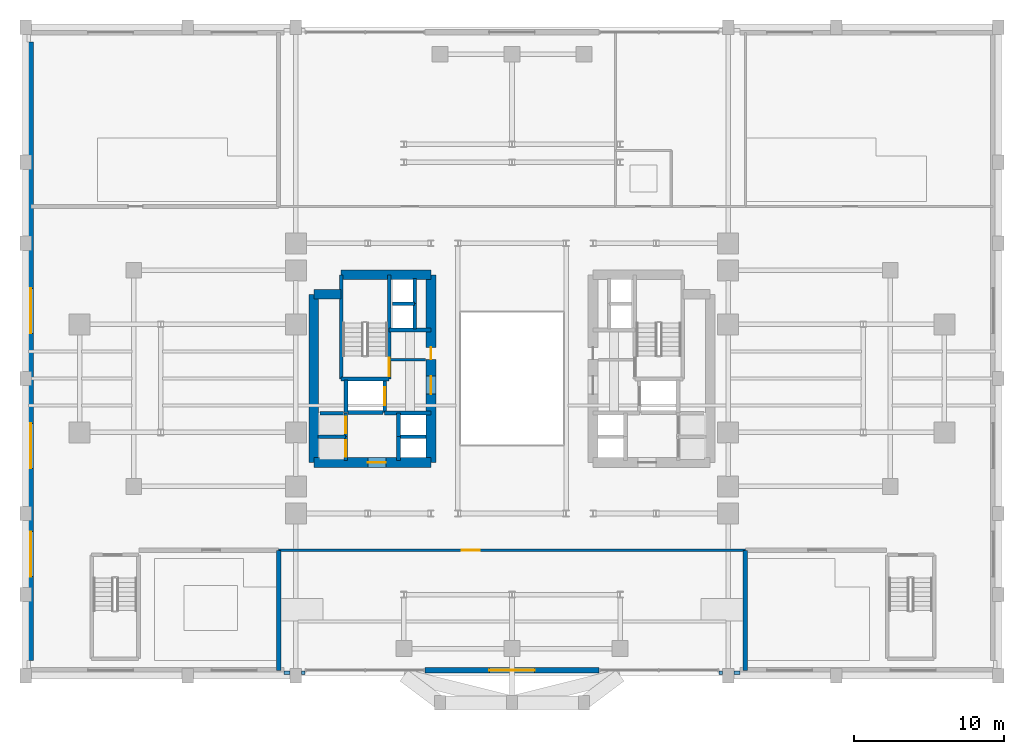
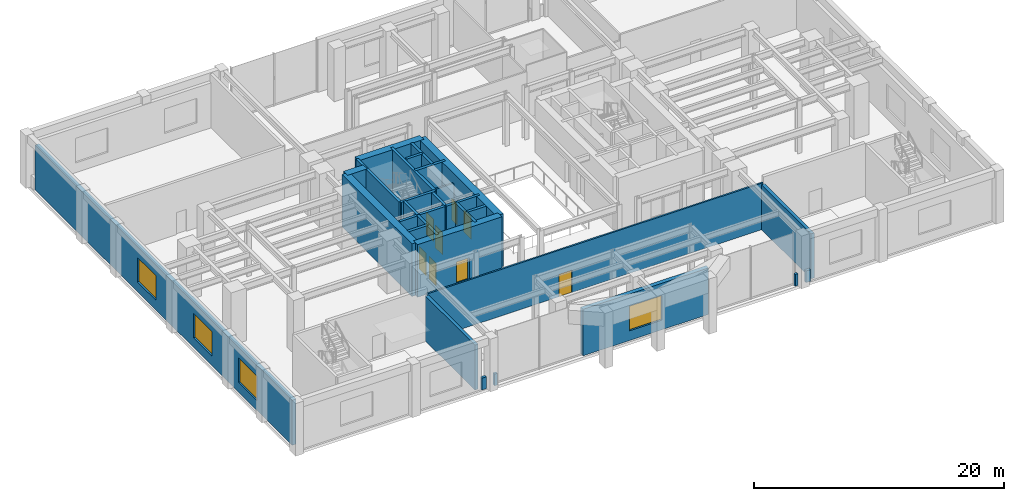
# One storey, part 10 of 16: 33 walls, 8 doors, 4 windows, 12 openings.
"""IFC4 building model written with IfcOpenShell, lengths in metres."""

from ifc_helpers import new_model, si_unit, direction, frame, frame_2d, origin, place, context, subcontext, project, spatial, rectangle, extrude, source, transform, mapped, material, layer, layer_set, type_object, element, fill, save


model = new_model("IFC4")

# Units and contexts
model_context = context("Model", 3, precision=1e-05, world=origin(), true_north=direction((0.0, 1.0)))
body_context = subcontext(model_context, "Body", "Model", "MODEL_VIEW")
ifc_project = project(units=[si_unit("LENGTHUNIT", "METRE"), si_unit("AREAUNIT", "SQUARE_METRE"), si_unit("VOLUMEUNIT", "CUBIC_METRE"), si_unit("PLANEANGLEUNIT", "RADIAN"), si_unit("MASSUNIT", "GRAM", prefix="KILO")], contexts=[model_context])

# Site, building, storey
site_placement = place(None, origin())
site = spatial("IfcSite", under=ifc_project, at=site_placement, CompositionType="ELEMENT")
building_placement = place(site_placement, origin())
building = spatial("IfcBuilding", under=site, at=building_placement, Name="Keilestroom Media Tower", CompositionType="ELEMENT")
storey_placement = place(building_placement, frame((0.0, 0.0, 10.199951171875)))
storey = spatial("IfcBuildingStorey", under=building, at=storey_placement, Name="L02", CompositionType="ELEMENT", Elevation=10.199951171875)

# Walls
ifc_material_1 = material(Name="Concrete C45/55", Category="concrete")
ifc_layer_1 = layer(ifc_material_1, 0.300048828125)
ifc_layer_set_1 = layer_set([ifc_layer_1], Name="Concrete C45/55")
wall_type_1 = type_object("IfcWallType", Name="Acoustic-Studio-Isolation-Wall-300", PredefinedType="SOLIDWALL", material=ifc_layer_set_1)
for number, where, z_axis, x_axis, name in (
    (1, (-15.550048828125, -19.449951171875, 0.0), (0.0, 0.0, 1.0), (0.0, 1.0, 0.0), "L02 Interior Wall WP-L02-STD-SW-E"),
    (2, (15.550048828125, -19.449951171875, 0.0), (0.0, 0.0, 1.0), (0.0, 1.0, 0.0), "L02 Interior Wall WP-L02-STD-SE-W"),
):
    element("IfcWall", number, at=place(storey_placement, frame(where, z_axis=z_axis, x_axis=x_axis)), inside=storey, type_object=wall_type_1, Name=name, PredefinedType="SOLIDWALL", context=body_context, shape_type="SweptSolid", body=[
        extrude(rectangle(XDim=8.0, YDim=0.300048828125, at=frame_2d((4.0, 0.0))), origin(), (0.0, 0.0, 1.0), 4.400146484375),
    ])

# Wall, openings, windows
ifc_material_2 = material(Name="Precast concrete C40/50", Category="concrete")
ifc_layer_2 = layer(ifc_material_2, 0.3798828125)
ifc_layer_set_2 = layer_set([ifc_layer_2], Name="Precast concrete C40/50")
wall_type_2 = type_object("IfcWallType", Name="Exterior-Masonry-Spandrel-Wall-380", PredefinedType="SOLIDWALL", material=ifc_layer_set_2)
wall_1_placement = place(storey_placement, frame((-32.050048828125, -18.800048828125, 0.0), z_axis=(0.0, 0.0, 1.0), x_axis=(0.0, 1.0, 0.0)))
wall_1 = element("IfcWall", 3, at=wall_1_placement, inside=storey, type_object=wall_type_2, Name="L02 Podium Precast Masonry Wall EWL-L02-W-M", PredefinedType="SOLIDWALL", context=body_context, shape_type="SweptSolid", body=[
    extrude(rectangle(XDim=41.199951171875, YDim=0.3798828125, at=frame_2d((20.60009765625, 0.0))), origin(), (0.0, 0.0, 1.0), 4.400146484375),
])
opening_1_placement = place(wall_1_placement, frame((5.60009765625, 0.0, 0.949951171875)))
opening_1 = element("IfcOpeningElement", 4, at=opening_1_placement, cuts=wall_1, Name="Opening WN-05", PredefinedType="OPENING", context=body_context, shape_type="SweptSolid", body=[
    extrude(rectangle(XDim=3.0, YDim=2.39990234375, at=frame_2d((1.5, 1.199951171875))), frame((0.0, 0.199951171875, 0.0), z_axis=(0.0, -1.0, 0.0), x_axis=(1.0, 0.0, 0.0)), (0.0, 0.0, 1.0), 0.39990234375),
])
opening_2_placement = place(wall_1_placement, frame((12.800048828125, 0.0, 0.949951171875)))
opening_2 = element("IfcOpeningElement", 5, at=opening_2_placement, cuts=wall_1, Name="Opening WN-05", PredefinedType="OPENING", context=body_context, shape_type="SweptSolid", body=[
    extrude(rectangle(XDim=3.0, YDim=2.39990234375, at=frame_2d((1.5, 1.199951171875))), frame((0.0, 0.199951171875, 0.0), z_axis=(0.0, -1.0, 0.0), x_axis=(1.0, 0.0, 0.0)), (0.0, 0.0, 1.0), 0.39990234375),
])
opening_3_placement = place(wall_1_placement, frame((21.800048828125, 0.0, 0.949951171875)))
opening_3 = element("IfcOpeningElement", 6, at=opening_3_placement, cuts=wall_1, Name="Opening WN-05", PredefinedType="OPENING", context=body_context, shape_type="SweptSolid", body=[
    extrude(rectangle(XDim=3.0, YDim=2.39990234375, at=frame_2d((1.5, 1.199951171875))), frame((0.0, 0.199951171875, 0.0), z_axis=(0.0, -1.0, 0.0), x_axis=(1.0, 0.0, 0.0)), (0.0, 0.0, 1.0), 0.39990234375),
])
ifc_material_3 = material(Name="Acoustic Studio Observation Window", Category="glass")
window_type = type_object("IfcWindowType", Name="Recessed-Punched-Window-WN-05", PartitioningType="TRIPLE_PANEL_VERTICAL", PredefinedType="WINDOW", material=ifc_material_3)
shared_shape_1 = source(origin(), body_context, "Body", "SweptSolid", [
    extrude(rectangle(XDim=3.0, YDim=2.39990234375, at=frame_2d((1.5, 1.199951171875))), frame((0.0, 0.030029296875, 0.0), z_axis=(0.0, -1.0, 0.0), x_axis=(1.0, 0.0, 0.0)), (0.0, 0.0, 1.0), 0.06005859375),
])
window_1_placement = place(opening_1_placement, origin())
window_1 = element("IfcWindow", 7, at=window_1_placement, inside=storey, type_object=window_type, Name="L02 Window WN-05 EWL-L02-W-M-1", OverallHeight=2.39990234375, OverallWidth=3.0, PartitioningType="SINGLE_PANEL", PredefinedType="WINDOW", context=body_context, shape_type="MappedRepresentation", body=[
    mapped(shared_shape_1, transform((0.0, 0.0, 0.0), x_axis=(1.0, 0.0, 0.0), y_axis=(0.0, 1.0, 0.0), z_axis=(0.0, 0.0, 1.0), scale=1.0)),
])
fill(opening_1, window_1)
window_2_placement = place(opening_2_placement, origin())
window_2 = element("IfcWindow", 8, at=window_2_placement, inside=storey, type_object=window_type, Name="L02 Window WN-05 EWL-L02-W-M-2", OverallHeight=2.39990234375, OverallWidth=3.0, PartitioningType="SINGLE_PANEL", PredefinedType="WINDOW", context=body_context, shape_type="MappedRepresentation", body=[
    mapped(shared_shape_1, transform((0.0, 0.0, 0.0), x_axis=(1.0, 0.0, 0.0), y_axis=(0.0, 1.0, 0.0), z_axis=(0.0, 0.0, 1.0), scale=1.0)),
])
fill(opening_2, window_2)
window_3_placement = place(opening_3_placement, origin())
window_3 = element("IfcWindow", 9, at=window_3_placement, inside=storey, type_object=window_type, Name="L02 Window WN-05 EWL-L02-W-M-3", OverallHeight=2.39990234375, OverallWidth=3.0, PartitioningType="SINGLE_PANEL", PredefinedType="WINDOW", context=body_context, shape_type="MappedRepresentation", body=[
    mapped(shared_shape_1, transform((0.0, 0.0, 0.0), x_axis=(1.0, 0.0, 0.0), y_axis=(0.0, 1.0, 0.0), z_axis=(0.0, 0.0, 1.0), scale=1.0)),
])
fill(opening_3, window_3)

# Wall, opening, window
wall_2_placement = place(storey_placement, frame((-5.804931640625, -19.449951171875, 0.0), z_axis=(0.0, 0.0, 1.0), x_axis=(1.0, 0.0, 0.0)))
wall_2 = element("IfcWall", 10, at=wall_2_placement, inside=storey, type_object=wall_type_2, Name="L02 Podium Precast Masonry Wall EWL-L02-S-C-1", PredefinedType="SOLIDWALL", context=body_context, shape_type="SweptSolid", body=[
    extrude(rectangle(XDim=11.60986328125, YDim=0.3798828125, at=frame_2d((5.804931640625, 0.0))), origin(), (0.0, 0.0, 1.0), 4.550048828125),
])
opening_4_placement = place(wall_2_placement, frame((4.304931640625, 0.0, 0.949951171875)))
opening_4 = element("IfcOpeningElement", 11, at=opening_4_placement, cuts=wall_2, Name="Opening WN-05", PredefinedType="OPENING", context=body_context, shape_type="SweptSolid", body=[
    extrude(rectangle(XDim=3.0, YDim=2.39990234375, at=frame_2d((1.5, 1.199951171875))), frame((0.0, 0.199951171875, 0.0), z_axis=(0.0, -1.0, 0.0), x_axis=(1.0, 0.0, 0.0)), (0.0, 0.0, 1.0), 0.39990234375),
])
window_4_placement = place(opening_4_placement, origin())
window_4 = element("IfcWindow", 12, at=window_4_placement, inside=storey, type_object=window_type, Name="L02 Window WN-05 EWL-L02-S-C-1-1", OverallHeight=2.39990234375, OverallWidth=3.0, PartitioningType="SINGLE_PANEL", PredefinedType="WINDOW", context=body_context, shape_type="MappedRepresentation", body=[
    mapped(shared_shape_1, transform((0.0, 0.0, 0.0), x_axis=(1.0, 0.0, 0.0), y_axis=(0.0, 1.0, 0.0), z_axis=(0.0, 0.0, 1.0), scale=1.0)),
])
fill(opening_4, window_4)

# Wall
ifc_material_4 = material(Name="Gypsum Plasterboard & Steel Stud", Category="steel")
ifc_layer_3 = layer(ifc_material_4, 0.14990234375)
ifc_layer_set_3 = layer_set([ifc_layer_3], Name="Gypsum Plasterboard & Steel Stud")
wall_type_3 = type_object("IfcWallType", Name="Interior-Partition-Wall-150", PredefinedType="PARTITIONING", material=ifc_layer_set_3)
wall_3_placement = place(storey_placement, frame((-8.139892578125, 1.239990234375, 0.0), z_axis=(0.0, 0.0, 1.0), x_axis=(1.0, 0.0, 0.0)))
element("IfcWall", 13, at=wall_3_placement, inside=storey, type_object=wall_type_3, Name="L02 Interior Wall WP-L02-FFW-TOP", PredefinedType="PARTITIONING", context=body_context, shape_type="SweptSolid", body=[
    extrude(rectangle(XDim=2.389892578125, YDim=0.14990234375, at=frame_2d((1.19482421875, 0.0))), origin(), (0.0, 0.0, 1.0), 4.25),
])

# Wall, opening, door
wall_4_placement = place(storey_placement, frame((-15.550048828125, -11.449951171875, 0.0), z_axis=(0.0, 0.0, 1.0), x_axis=(1.0, 0.0, 0.0)))
wall_4 = element("IfcWall", 14, at=wall_4_placement, inside=storey, type_object=wall_type_3, Name="L02 Interior Wall WP-L02-ARCH-S-N", PredefinedType="PARTITIONING", context=body_context, shape_type="SweptSolid", body=[
    extrude(rectangle(XDim=31.10009765625, YDim=0.14990234375, at=frame_2d((15.550048828125, 0.0))), origin(), (0.0, 0.0, 1.0), 4.550048828125),
])
opening_5_placement = place(wall_4_placement, frame((12.199951171875, 0.0, 0.0)))
opening_5 = element("IfcOpeningElement", 15, at=opening_5_placement, cuts=wall_4, Name="Opening DI-02", PredefinedType="OPENING", context=body_context, shape_type="SweptSolid", body=[
    extrude(rectangle(XDim=1.199951171875, YDim=2.199951171875, at=frame_2d((0.60009765625, 1.10009765625))), frame((0.0, 0.0849609375, 0.0), z_axis=(0.0, -1.0, 0.0), x_axis=(1.0, 0.0, 0.0)), (0.0, 0.0, 1.0), 0.169921875),
])
ifc_material_5 = material(Name="Powder-Coated Steel Fire Leaf", Category="steel")
door_type_1 = type_object("IfcDoorType", Name="Interior-Compartment-Fire-Door-DI-02", OperationType="NOTDEFINED", PredefinedType="DOOR", material=ifc_material_5)
shared_shape_2 = source(origin(), body_context, "Body", "SweptSolid", [
    extrude(rectangle(XDim=1.199951171875, YDim=2.199951171875, at=frame_2d((0.60009765625, 1.10009765625))), frame((0.0, 0.02490234375, 0.0), z_axis=(0.0, -1.0, 0.0), x_axis=(1.0, 0.0, 0.0)), (0.0, 0.0, 1.0), 0.050048828125),
])
door_1_placement = place(opening_5_placement, origin())
door_1 = element("IfcDoor", 16, at=door_1_placement, inside=storey, type_object=door_type_1, Name="L02 Interior Door DI-L02-ARCH-S-D", OperationType="SINGLE_SWING_LEFT", OverallHeight=2.199951171875, OverallWidth=1.199951171875, PredefinedType="DOOR", context=body_context, shape_type="MappedRepresentation", body=[
    mapped(shared_shape_2, transform((0.0, 0.0, 0.0), x_axis=(1.0, 0.0, 0.0), y_axis=(0.0, 1.0, 0.0), z_axis=(0.0, 0.0, 1.0), scale=1.0)),
])
fill(opening_5, door_1)

# Wall
ifc_material_6 = material(Name="Concrete C70/85", Category="concrete")
ifc_layer_4 = layer(ifc_material_6, 0.64990234375)
ifc_layer_set_4 = layer_set([ifc_layer_4], Name="Concrete C70/85")
wall_type_4 = type_object("IfcWallType", Name="Reinforced-Concrete-Core-Shear-Wall-650", PredefinedType="SHEAR", material=ifc_layer_set_4)
wall_5_placement = place(storey_placement, frame((-13.199951171875, -5.60009765625, 0.0), z_axis=(0.0, 0.0, 1.0), x_axis=(0.0, 1.0, 0.0)))
element("IfcWall", 17, at=wall_5_placement, inside=storey, type_object=wall_type_4, Name="L02 Core Shear Wall WL-L02-CORE-W-OUT", PredefinedType="SHEAR", context=body_context, shape_type="SweptSolid", body=[
    extrude(rectangle(XDim=11.2001953125, YDim=0.64990234375, at=frame_2d((5.60009765625, 0.0))), origin(), (0.0, 0.0, 1.0), 5.150146484375),
])

# Wall, openings, doors
wall_6_placement = place(storey_placement, frame((-5.39990234375, -5.60009765625, 0.0), z_axis=(0.0, 0.0, 1.0), x_axis=(0.0, 1.0, 0.0)))
wall_6 = element("IfcWall", 18, at=wall_6_placement, inside=storey, type_object=wall_type_4, Name="L02 Core Shear Wall WL-L02-CORE-W-IN", PredefinedType="SHEAR", context=body_context, shape_type="SweptSolid", body=[
    extrude(rectangle(XDim=12.5, YDim=0.64990234375, at=frame_2d((6.25, 0.0))), origin(), (0.0, 0.0, 1.0), 5.150146484375),
])
opening_6_placement = place(wall_6_placement, frame((4.550048828125, 0.0, 0.0)))
opening_6 = element("IfcOpeningElement", 19, at=opening_6_placement, cuts=wall_6, Name="Opening DI-02", PredefinedType="OPENING", context=body_context, shape_type="SweptSolid", body=[
    extrude(rectangle(XDim=1.199951171875, YDim=2.199951171875, at=frame_2d((0.60009765625, 1.10009765625))), frame((0.0, 0.3349609375, 0.0), z_axis=(0.0, -1.0, 0.0), x_axis=(1.0, 0.0, 0.0)), (0.0, 0.0, 1.0), 0.669921875),
])
opening_7_placement = place(wall_6_placement, frame((6.860107421875, 0.0, 0.0)))
opening_7 = element("IfcOpeningElement", 20, at=opening_7_placement, cuts=wall_6, Name="Opening DI-06", PredefinedType="OPENING", context=body_context, shape_type="SweptSolid", body=[
    extrude(rectangle(XDim=0.800048828125, YDim=2.10009765625, at=frame_2d((0.39990234375, 1.050048828125))), frame((0.0, 0.3349609375, 0.0), z_axis=(0.0, -1.0, 0.0), x_axis=(1.0, 0.0, 0.0)), (0.0, 0.0, 1.0), 0.669921875),
])
door_2_placement = place(opening_6_placement, origin())
door_2 = element("IfcDoor", 21, at=door_2_placement, inside=storey, type_object=door_type_1, Name="L02 W Firefighting Lobby Door", OperationType="SINGLE_SWING_RIGHT", OverallHeight=2.199951171875, OverallWidth=1.199951171875, PredefinedType="DOOR", context=body_context, shape_type="MappedRepresentation", body=[
    mapped(shared_shape_2, transform((0.0, 0.0, 0.0), x_axis=(1.0, 0.0, 0.0), y_axis=(0.0, 1.0, 0.0), z_axis=(0.0, 0.0, 1.0), scale=1.0)),
])
fill(opening_6, door_2)
ifc_material_7 = material(Name="Powder-Coated Steel Service Leaf", Category="steel")
door_type_2 = type_object("IfcDoorType", Name="Interior-Riser-Access-Door-DI-06", OperationType="NOTDEFINED", PredefinedType="DOOR", material=ifc_material_7)
shared_shape_3 = source(origin(), body_context, "Body", "SweptSolid", [
    extrude(rectangle(XDim=0.800048828125, YDim=2.10009765625, at=frame_2d((0.39990234375, 1.050048828125))), frame((0.0, 0.02490234375, 0.0), z_axis=(0.0, -1.0, 0.0), x_axis=(1.0, 0.0, 0.0)), (0.0, 0.0, 1.0), 0.050048828125),
])
door_3_placement = place(opening_7_placement, origin())
door_3 = element("IfcDoor", 22, at=door_3_placement, inside=storey, type_object=door_type_2, Name="L02 West Core Switchroom Door", OperationType="SINGLE_SWING_LEFT", OverallHeight=2.10009765625, OverallWidth=0.800048828125, PredefinedType="DOOR", context=body_context, shape_type="MappedRepresentation", body=[
    mapped(shared_shape_3, transform((0.0, 0.0, 0.0), x_axis=(1.0, 0.0, 0.0), y_axis=(0.0, 1.0, 0.0), z_axis=(0.0, 0.0, 1.0), scale=1.0)),
])
fill(opening_7, door_3)

# Walls
wall_7_placement = place(storey_placement, frame((-11.381103515625, 6.89990234375, 0.0), z_axis=(0.0, 0.0, 1.0), x_axis=(1.0, 0.0, 0.0)))
element("IfcWall", 23, at=wall_7_placement, inside=storey, type_object=wall_type_4, Name="L02 Core Shear Wall WL-L02-CORE-W-N", PredefinedType="SHEAR", context=body_context, shape_type="SweptSolid", body=[
    extrude(rectangle(XDim=5.981201171875, YDim=0.64990234375, at=frame_2d((2.99072265625, 0.0))), origin(), (0.0, 0.0, 1.0), 5.150146484375),
])
wall_8_placement = place(storey_placement, frame((-13.199951171875, 5.60009765625, 0.0), z_axis=(0.0, 0.0, 1.0), x_axis=(1.0, 0.0, 0.0)))
element("IfcWall", 24, at=wall_8_placement, inside=storey, type_object=wall_type_4, Name="L02 Core Shear Wall WL-L02-CNW-N", PredefinedType="SHEAR", context=body_context, shape_type="SweptSolid", body=[
    extrude(rectangle(XDim=1.81884765625, YDim=0.64990234375, at=frame_2d((0.909423828125, 0.0))), origin(), (0.0, 0.0, 1.0), 5.150146484375),
])

# Wall, opening, door
wall_9_placement = place(storey_placement, frame((-13.199951171875, -5.60009765625, 0.0), z_axis=(0.0, 0.0, 1.0), x_axis=(1.0, 0.0, 0.0)))
wall_9 = element("IfcWall", 25, at=wall_9_placement, inside=storey, type_object=wall_type_4, Name="L02 Core Shear Wall WL-L02-CORE-W-S", PredefinedType="SHEAR", context=body_context, shape_type="SweptSolid", body=[
    extrude(rectangle(XDim=7.800048828125, YDim=0.64990234375, at=frame_2d((3.89990234375, 0.0))), origin(), (0.0, 0.0, 1.0), 5.150146484375),
])
opening_8_placement = place(wall_9_placement, frame((3.60009765625, 0.0, 0.0)))
opening_8 = element("IfcOpeningElement", 26, at=opening_8_placement, cuts=wall_9, Name="Opening DI-02", PredefinedType="OPENING", context=body_context, shape_type="SweptSolid", body=[
    extrude(rectangle(XDim=1.199951171875, YDim=2.199951171875, at=frame_2d((0.60009765625, 1.10009765625))), frame((0.0, 0.3349609375, 0.0), z_axis=(0.0, -1.0, 0.0), x_axis=(1.0, 0.0, 0.0)), (0.0, 0.0, 1.0), 0.669921875),
])
door_4_placement = place(opening_8_placement, origin())
door_4 = element("IfcDoor", 27, at=door_4_placement, inside=storey, type_object=door_type_1, Name="L02 W Passenger Lift Lobby Door", OperationType="SINGLE_SWING_LEFT", OverallHeight=2.199951171875, OverallWidth=1.199951171875, PredefinedType="DOOR", context=body_context, shape_type="MappedRepresentation", body=[
    mapped(shared_shape_2, transform((0.0, 0.0, 0.0), x_axis=(1.0, 0.0, 0.0), y_axis=(0.0, 1.0, 0.0), z_axis=(0.0, 0.0, 1.0), scale=1.0)),
])
fill(opening_8, door_4)

# Walls
ifc_material_8 = material(Name="Concrete C50/60", Category="concrete")
ifc_layer_5 = layer(ifc_material_8, 0.25)
ifc_layer_set_5 = layer_set([ifc_layer_5], Name="Concrete C50/60")
wall_type_5 = type_object("IfcWallType", Name="Reinforced-Concrete-Shaft-Wall-250", PredefinedType="SOLIDWALL", material=ifc_layer_set_5)
wall_10_placement = place(storey_placement, frame((-8.179931640625, 3.219970703125, 0.0), z_axis=(0.0, 0.0, 1.0), x_axis=(1.0, 0.0, 0.0)))
element("IfcWall", 28, at=wall_10_placement, inside=storey, type_object=wall_type_5, Name="L02 Core Shear Wall WL-L02-CORE-W-FFN", PredefinedType="SOLIDWALL", context=body_context, shape_type="SweptSolid", body=[
    extrude(rectangle(XDim=2.780029296875, YDim=0.25, at=frame_2d((1.39013671875, 0.0))), origin(), (0.0, 0.0, 1.0), 5.150146484375),
])
wall_11_placement = place(storey_placement, frame((-8.47998046875, -2.300048828125, 0.0), z_axis=(0.0, 0.0, 1.0), x_axis=(1.0, 0.0, 0.0)))
element("IfcWall", 29, at=wall_11_placement, inside=storey, type_object=wall_type_5, Name="L02 Core Shear Wall WL-L02-CORE-W-FFS", PredefinedType="SOLIDWALL", context=body_context, shape_type="SweptSolid", body=[
    extrude(rectangle(XDim=3.080078125, YDim=0.25, at=frame_2d((1.5400390625, 0.0))), origin(), (0.0, 0.0, 1.0), 5.150146484375),
])

# Wall, opening, door
wall_12_placement = place(storey_placement, frame((-8.178955078125, -0.041015625, 0.0), z_axis=(0.0, 0.0, 1.0), x_axis=(0.0, 1.0, 0.0)))
wall_12 = element("IfcWall", 30, at=wall_12_placement, inside=storey, type_object=wall_type_5, Name="L02 Core Shear Wall WL-L02-STW-W-NEAR", PredefinedType="SOLIDWALL", context=body_context, shape_type="SweptSolid", body=[
    extrude(rectangle(XDim=6.94091796875, YDim=0.25, at=frame_2d((3.470458984375, 0.0))), origin(), (0.0, 0.0, 1.0), 5.150146484375),
])
opening_9_placement = place(wall_12_placement, frame((0.199951171875, 0.0, 0.0)))
opening_9 = element("IfcOpeningElement", 31, at=opening_9_placement, cuts=wall_12, Name="Opening DI-01S", PredefinedType="OPENING", context=body_context, shape_type="SweptSolid", body=[
    extrude(rectangle(XDim=1.199951171875, YDim=2.199951171875, at=frame_2d((0.60009765625, 1.10009765625))), frame((0.0, 0.135009765625, 0.0), z_axis=(0.0, -1.0, 0.0), x_axis=(1.0, 0.0, 0.0)), (0.0, 0.0, 1.0), 0.27001953125),
])
door_type_3 = type_object("IfcDoorType", Name="Interior-Stair-And-Core-Fire-Door-DI-01", OperationType="NOTDEFINED", PredefinedType="DOOR", material=ifc_material_5)
door_5_placement = place(opening_9_placement, origin())
door_5 = element("IfcDoor", 32, at=door_5_placement, inside=storey, type_object=door_type_3, Name="L02 Escape Stair ST-1 Fire Door", OperationType="SINGLE_SWING_LEFT", OverallHeight=2.199951171875, OverallWidth=1.199951171875, PredefinedType="DOOR", context=body_context, shape_type="MappedRepresentation", body=[
    mapped(shared_shape_2, transform((0.0, 0.0, 0.0), x_axis=(1.0, 0.0, 0.0), y_axis=(0.0, 1.0, 0.0), z_axis=(0.0, 0.0, 1.0), scale=1.0)),
])
fill(opening_9, door_5)

# Walls
wall_13_placement = place(storey_placement, frame((-11.381103515625, -0.041015625, 0.0), z_axis=(0.0, 0.0, 1.0), x_axis=(0.0, 1.0, 0.0)))
element("IfcWall", 33, at=wall_13_placement, inside=storey, type_object=wall_type_5, Name="L02 Core Shear Wall WL-L02-STW-W-FAR", PredefinedType="SOLIDWALL", context=body_context, shape_type="SweptSolid", body=[
    extrude(rectangle(XDim=6.94091796875, YDim=0.25, at=frame_2d((3.470458984375, 0.0))), origin(), (0.0, 0.0, 1.0), 5.150146484375),
])
wall_14_placement = place(storey_placement, frame((-11.381103515625, -0.041015625, 0.0), z_axis=(0.0, 0.0, 1.0), x_axis=(1.0, 0.0, 0.0)))
element("IfcWall", 34, at=wall_14_placement, inside=storey, type_object=wall_type_5, Name="L02 Core Shear Wall WL-L02-STW-W-S", PredefinedType="SOLIDWALL", context=body_context, shape_type="SweptSolid", body=[
    extrude(rectangle(XDim=3.2021484375, YDim=0.25, at=frame_2d((1.60107421875, 0.0))), origin(), (0.0, 0.0, 1.0), 5.150146484375),
])
wall_15_placement = place(storey_placement, frame((-11.050048828125, -2.280029296875, 0.0), z_axis=(0.0, 0.0, 1.0), x_axis=(0.0, 1.0, 0.0)))
element("IfcWall", 35, at=wall_15_placement, inside=storey, type_object=wall_type_5, Name="L02 Core Shear Wall WL-L02-LSH-FFL-1-W", PredefinedType="SOLIDWALL", context=body_context, shape_type="SweptSolid", body=[
    extrude(rectangle(XDim=2.179931640625, YDim=0.25, at=frame_2d((1.08984375, 0.0))), origin(), (0.0, 0.0, 1.0), 5.150146484375),
])

# Wall, opening, door
wall_16_placement = place(storey_placement, frame((-8.47998046875, -2.280029296875, 0.0), z_axis=(0.0, 0.0, 1.0), x_axis=(0.0, 1.0, 0.0)))
wall_16 = element("IfcWall", 36, at=wall_16_placement, inside=storey, type_object=wall_type_5, Name="L02 Core Shear Wall WL-L02-LSH-FFL-1-E", PredefinedType="SOLIDWALL", context=body_context, shape_type="SweptSolid", body=[
    extrude(rectangle(XDim=2.179931640625, YDim=0.25, at=frame_2d((1.08984375, 0.0))), origin(), (0.0, 0.0, 1.0), 5.150146484375),
])
opening_10_placement = place(wall_16_placement, frame((0.489990234375, 0.0, 0.0)))
opening_10 = element("IfcOpeningElement", 37, at=opening_10_placement, cuts=wall_16, Name="Opening LD-02", PredefinedType="OPENING", context=body_context, shape_type="SweptSolid", body=[
    extrude(rectangle(XDim=1.199951171875, YDim=2.199951171875, at=frame_2d((0.60009765625, 1.10009765625))), frame((0.0, 0.135009765625, 0.0), z_axis=(0.0, -1.0, 0.0), x_axis=(1.0, 0.0, 0.0)), (0.0, 0.0, 1.0), 0.27001953125),
])
ifc_material_9 = material(Name="Brushed Stainless Steel Sliding Leaf", Category="steel")
door_type_4 = type_object("IfcDoorType", Name="Lift-Landing-Sliding-Door-LD-02", OperationType="SLIDING_TO_RIGHT", PredefinedType="DOOR", material=ifc_material_9)
door_6_placement = place(opening_10_placement, origin())
door_6 = element("IfcDoor", 38, at=door_6_placement, inside=storey, type_object=door_type_4, Name="L02 Lift FFL-1 Landing Sliding Door", OperationType="SLIDING_TO_RIGHT", OverallHeight=2.199951171875, OverallWidth=1.199951171875, PredefinedType="DOOR", context=body_context, shape_type="MappedRepresentation", body=[
    mapped(shared_shape_2, transform((0.0, 0.0, 0.0), x_axis=(1.0, 0.0, 0.0), y_axis=(0.0, 1.0, 0.0), z_axis=(0.0, 0.0, 1.0), scale=1.0)),
])
fill(opening_10, door_6)

# Wall
wall_17_placement = place(storey_placement, frame((-10.9208984375, -2.280029296875, 0.0), z_axis=(0.0, 0.0, 1.0), x_axis=(1.0, 0.0, 0.0)))
element("IfcWall", 39, at=wall_17_placement, inside=storey, type_object=wall_type_5, Name="L02 Core Shear Wall WL-L02-LSH-FFL-1-S", PredefinedType="SOLIDWALL", context=body_context, shape_type="SweptSolid", body=[
    extrude(rectangle(XDim=2.31201171875, YDim=0.25, at=frame_2d((1.156005859375, 0.0))), origin(), (0.0, 0.0, 1.0), 5.150146484375),
])

# Wall, opening, door
wall_18_placement = place(storey_placement, frame((-11.080078125, -5.47998046875, 0.0), z_axis=(0.0, 0.0, 1.0), x_axis=(0.0, 1.0, 0.0)))
wall_18 = element("IfcWall", 40, at=wall_18_placement, inside=storey, type_object=wall_type_5, Name="L02 Core Shear Wall WL-L02-LSH-PL-L1-E", PredefinedType="SOLIDWALL", context=body_context, shape_type="SweptSolid", body=[
    extrude(rectangle(XDim=1.60009765625, YDim=0.25, at=frame_2d((0.800048828125, 0.0))), origin(), (0.0, 0.0, 1.0), 5.150146484375),
])
opening_11_placement = place(wall_18_placement, frame((0.25, 0.0, 0.0)))
opening_11 = element("IfcOpeningElement", 41, at=opening_11_placement, cuts=wall_18, Name="Opening LD-01", PredefinedType="OPENING", context=body_context, shape_type="SweptSolid", body=[
    extrude(rectangle(XDim=1.10009765625, YDim=2.199951171875, at=frame_2d((0.550048828125, 1.10009765625))), frame((0.0, 0.135009765625, 0.0), z_axis=(0.0, -1.0, 0.0), x_axis=(1.0, 0.0, 0.0)), (0.0, 0.0, 1.0), 0.27001953125),
])
door_type_5 = type_object("IfcDoorType", Name="Lift-Landing-Sliding-Door-LD-01", OperationType="SLIDING_TO_LEFT", PredefinedType="DOOR", material=ifc_material_9)
shared_shape_4 = source(origin(), body_context, "Body", "SweptSolid", [
    extrude(rectangle(XDim=1.10009765625, YDim=2.199951171875, at=frame_2d((0.550048828125, 1.10009765625))), frame((0.0, 0.02490234375, 0.0), z_axis=(0.0, -1.0, 0.0), x_axis=(1.0, 0.0, 0.0)), (0.0, 0.0, 1.0), 0.050048828125),
])
door_7_placement = place(opening_11_placement, origin())
door_7 = element("IfcDoor", 42, at=door_7_placement, inside=storey, type_object=door_type_5, Name="L02 Lift PL-L1 Landing Sliding Door", OperationType="SLIDING_TO_LEFT", OverallHeight=2.199951171875, OverallWidth=1.10009765625, PredefinedType="DOOR", context=body_context, shape_type="MappedRepresentation", body=[
    mapped(shared_shape_4, transform((0.0, 0.0, 0.0), x_axis=(1.0, 0.0, 0.0), y_axis=(0.0, 1.0, 0.0), z_axis=(0.0, 0.0, 1.0), scale=1.0)),
])
fill(opening_11, door_7)

# Wall
wall_19_placement = place(storey_placement, frame((-12.919921875, -3.8798828125, 0.0), z_axis=(0.0, 0.0, 1.0), x_axis=(1.0, 0.0, 0.0)))
element("IfcWall", 43, at=wall_19_placement, inside=storey, type_object=wall_type_5, Name="L02 Core Shear Wall WL-L02-LSH-PL-L1-N", PredefinedType="SOLIDWALL", context=body_context, shape_type="SweptSolid", body=[
    extrude(rectangle(XDim=1.83984375, YDim=0.25, at=frame_2d((0.919921875, 0.0))), origin(), (0.0, 0.0, 1.0), 5.150146484375),
])

# Wall, opening, door
wall_20_placement = place(storey_placement, frame((-11.080078125, -3.8798828125, 0.0), z_axis=(0.0, 0.0, 1.0), x_axis=(0.0, 1.0, 0.0)))
wall_20 = element("IfcWall", 44, at=wall_20_placement, inside=storey, type_object=wall_type_5, Name="L02 Core Shear Wall WL-L02-LSH-PL-L2-E", PredefinedType="SOLIDWALL", context=body_context, shape_type="SweptSolid", body=[
    extrude(rectangle(XDim=1.559814453125, YDim=0.25, at=frame_2d((0.77978515625, 0.0))), origin(), (0.0, 0.0, 1.0), 5.150146484375),
])
opening_12_placement = place(wall_20_placement, frame((0.22998046875, 0.0, 0.0)))
opening_12 = element("IfcOpeningElement", 45, at=opening_12_placement, cuts=wall_20, Name="Opening LD-01", PredefinedType="OPENING", context=body_context, shape_type="SweptSolid", body=[
    extrude(rectangle(XDim=1.10009765625, YDim=2.199951171875, at=frame_2d((0.550048828125, 1.10009765625))), frame((0.0, 0.135009765625, 0.0), z_axis=(0.0, -1.0, 0.0), x_axis=(1.0, 0.0, 0.0)), (0.0, 0.0, 1.0), 0.27001953125),
])
door_8_placement = place(opening_12_placement, origin())
door_8 = element("IfcDoor", 46, at=door_8_placement, inside=storey, type_object=door_type_5, Name="L02 Lift PL-L2 Landing Sliding Door", OperationType="SLIDING_TO_LEFT", OverallHeight=2.199951171875, OverallWidth=1.10009765625, PredefinedType="DOOR", context=body_context, shape_type="MappedRepresentation", body=[
    mapped(shared_shape_4, transform((0.0, 0.0, 0.0), x_axis=(1.0, 0.0, 0.0), y_axis=(0.0, 1.0, 0.0), z_axis=(0.0, 0.0, 1.0), scale=1.0)),
])
fill(opening_12, door_8)

# Walls
wall_21_placement = place(storey_placement, frame((-12.791015625, -2.320068359375, 0.0), z_axis=(0.0, 0.0, 1.0), x_axis=(1.0, 0.0, 0.0)))
element("IfcWall", 47, at=wall_21_placement, inside=storey, type_object=wall_type_5, Name="L02 Core Shear Wall WL-L02-LSH-PL-L2-N", PredefinedType="SOLIDWALL", context=body_context, shape_type="SweptSolid", body=[
    extrude(rectangle(XDim=1.58203125, YDim=0.25, at=frame_2d((0.791015625, 0.0))), origin(), (0.0, 0.0, 1.0), 5.150146484375),
])
wall_22_placement = place(storey_placement, frame((-7.56005859375, -5.47998046875, 0.0), z_axis=(0.0, 0.0, 1.0), x_axis=(0.0, 1.0, 0.0)))
element("IfcWall", 48, at=wall_22_placement, inside=storey, type_object=wall_type_5, Name="L02 Core Shear Wall WL-L02-LSH-PL-M1-W", PredefinedType="SOLIDWALL", context=body_context, shape_type="SweptSolid", body=[
    extrude(rectangle(XDim=1.60009765625, YDim=0.25, at=frame_2d((0.800048828125, 0.0))), origin(), (0.0, 0.0, 1.0), 5.150146484375),
])
wall_23_placement = place(storey_placement, frame((-7.56005859375, -3.8798828125, 0.0), z_axis=(0.0, 0.0, 1.0), x_axis=(1.0, 0.0, 0.0)))
element("IfcWall", 49, at=wall_23_placement, inside=storey, type_object=wall_type_5, Name="L02 Core Shear Wall WL-L02-LSH-PL-M1-N", PredefinedType="SOLIDWALL", context=body_context, shape_type="SweptSolid", body=[
    extrude(rectangle(XDim=1.840087890625, YDim=0.25, at=frame_2d((0.919921875, 0.0))), origin(), (0.0, 0.0, 1.0), 5.150146484375),
])
wall_24_placement = place(storey_placement, frame((-7.56005859375, -3.8798828125, 0.0), z_axis=(0.0, 0.0, 1.0), x_axis=(0.0, 1.0, 0.0)))
element("IfcWall", 50, at=wall_24_placement, inside=storey, type_object=wall_type_5, Name="L02 Core Shear Wall WL-L02-LSH-PL-M2-W", PredefinedType="SOLIDWALL", context=body_context, shape_type="SweptSolid", body=[
    extrude(rectangle(XDim=1.559814453125, YDim=0.25, at=frame_2d((0.77978515625, 0.0))), origin(), (0.0, 0.0, 1.0), 5.150146484375),
])
wall_25_placement = place(storey_placement, frame((-6.47998046875, 3.300048828125, 0.0), z_axis=(0.0, 0.0, 1.0), x_axis=(0.0, 1.0, 0.0)))
element("IfcWall", 51, at=wall_25_placement, inside=storey, type_object=wall_type_5, Name="L02 Core Shear Wall WL-L02-LSH-PL-H1-E", PredefinedType="SOLIDWALL", context=body_context, shape_type="SweptSolid", body=[
    extrude(rectangle(XDim=1.679931640625, YDim=0.25, at=frame_2d((0.83984375, 0.0))), origin(), (0.0, 0.0, 1.0), 5.150146484375),
])
wall_26_placement = place(storey_placement, frame((-7.949951171875, 4.97998046875, 0.0), z_axis=(0.0, 0.0, 1.0), x_axis=(1.0, 0.0, 0.0)))
element("IfcWall", 52, at=wall_26_placement, inside=storey, type_object=wall_type_5, Name="L02 Core Shear Wall WL-L02-LSH-PL-H1-N", PredefinedType="SOLIDWALL", context=body_context, shape_type="SweptSolid", body=[
    extrude(rectangle(XDim=1.469970703125, YDim=0.25, at=frame_2d((0.73486328125, 0.0))), origin(), (0.0, 0.0, 1.0), 5.150146484375),
])
wall_27_placement = place(storey_placement, frame((-6.47998046875, 4.97998046875, 0.0), z_axis=(0.0, 0.0, 1.0), x_axis=(0.0, 1.0, 0.0)))
element("IfcWall", 53, at=wall_27_placement, inside=storey, type_object=wall_type_5, Name="L02 Core Shear Wall WL-L02-LSH-PL-H2-E", PredefinedType="SOLIDWALL", context=body_context, shape_type="SweptSolid", body=[
    extrude(rectangle(XDim=1.669921875, YDim=0.25, at=frame_2d((0.8349609375, 0.0))), origin(), (0.0, 0.0, 1.0), 5.150146484375),
])
ifc_layer_6 = layer(ifc_material_2, 0.239990234375)
ifc_layer_set_6 = layer_set([ifc_layer_6], Name="Precast concrete C40/50")
wall_type_6 = type_object("IfcWallType", Name="Roof-And-Terrace-Parapet-Wall-240", PredefinedType="PARAPET", material=ifc_layer_set_6)
wall_28_placement = place(storey_placement, frame((15.197021484375, -19.60009765625, 0.0), z_axis=(0.0, 0.0, 1.0), x_axis=(-1.0, 0.0, 0.0)))
element("IfcWall", 54, at=wall_28_placement, inside=storey, type_object=wall_type_6, Name="L02 Perimeter Edge Parapet Wall 08", PredefinedType="PARAPET", context=body_context, shape_type="SweptSolid", body=[
    extrude(rectangle(XDim=0.4189453125, YDim=0.239990234375, at=frame_2d((0.20947265625, 0.0))), origin(), (0.0, 0.0, 1.0), 1.150146484375),
])
for number, where, z_axis, x_axis, name in (
    (55, (14.02197265625, -19.60009765625, 0.0), (0.0, 0.0, 1.0), (-1.0, 0.0, 0.0), "L02 Perimeter Edge Parapet Wall 09"),
    (56, (-13.782958984375, -19.60009765625, 0.0), (0.0, 0.0, 1.0), (-1.0, 0.0, 0.0), "L02 Perimeter Edge Parapet Wall 10"),
):
    element("IfcWall", number, at=place(storey_placement, frame(where, z_axis=z_axis, x_axis=x_axis)), inside=storey, type_object=wall_type_6, Name=name, PredefinedType="PARAPET", context=body_context, shape_type="SweptSolid", body=[
        extrude(rectangle(XDim=0.239013671875, YDim=0.239990234375, at=frame_2d((0.11962890625, 0.0))), origin(), (0.0, 0.0, 1.0), 1.150146484375),
    ])
wall_29_placement = place(storey_placement, frame((-14.778076171875, -19.60009765625, 0.0), z_axis=(0.0, 0.0, 1.0), x_axis=(-1.0, 0.0, 0.0)))
element("IfcWall", 57, at=wall_29_placement, inside=storey, type_object=wall_type_6, Name="L02 Perimeter Edge Parapet Wall 11", PredefinedType="PARAPET", context=body_context, shape_type="SweptSolid", body=[
    extrude(rectangle(XDim=0.4189453125, YDim=0.239990234375, at=frame_2d((0.20947265625, 0.0))), origin(), (0.0, 0.0, 1.0), 1.150146484375),
])

save(model, "model.ifc")
